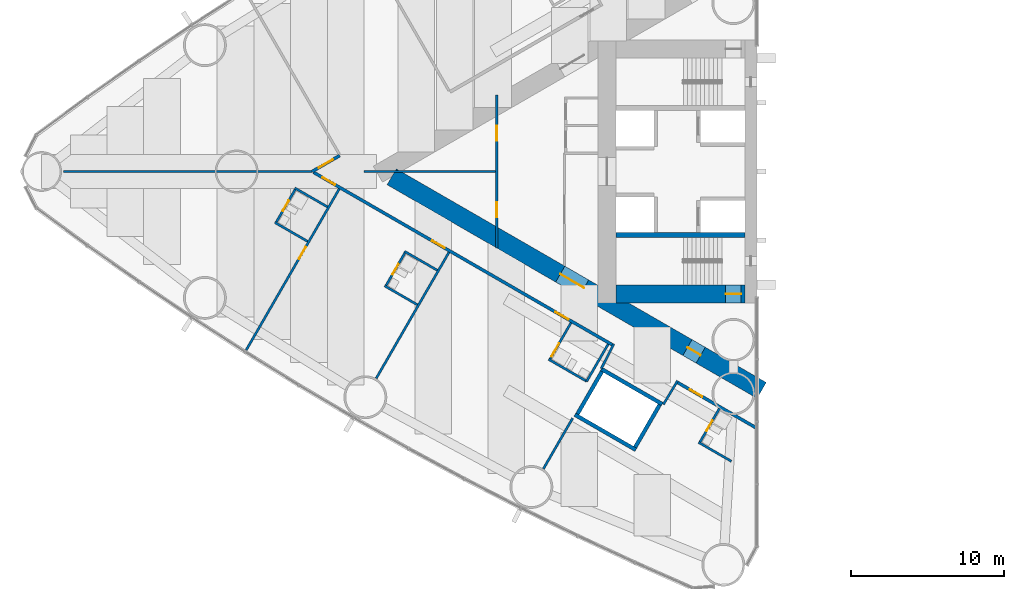
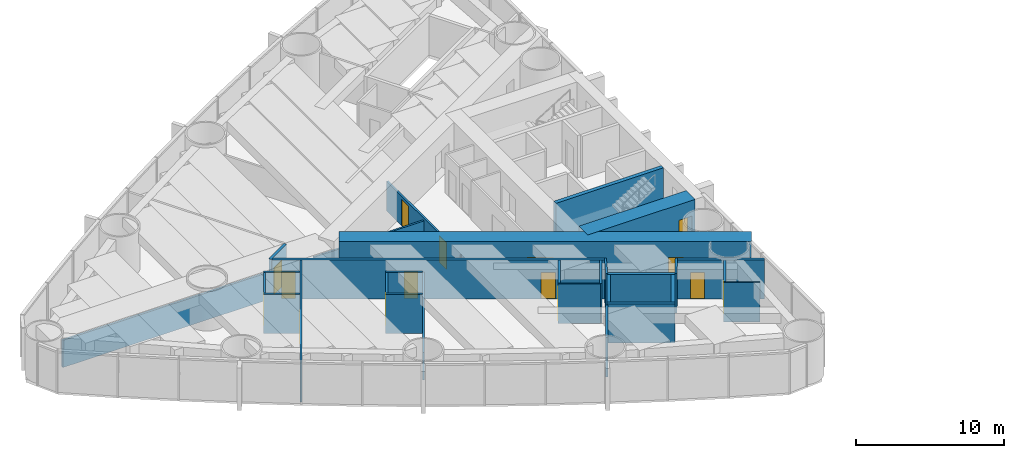
# One storey, part 11 of 19: 29 walls, 15 doors, 15 openings.
"""IFC4 building model written with IfcOpenShell, lengths in metres."""

from ifc_helpers import new_model, si_unit, direction, frame, frame_2d, origin, place, context, subcontext, project, spatial, rectangle, extrude, material, layer, layer_set, type_object, element, fill, save


model = new_model("IFC4")

# Units and contexts
model_context = context("Model", 3, precision=1e-05, world=origin(), true_north=direction((0.0, 1.0)))
body_context = subcontext(model_context, "Body", "Model", "MODEL_VIEW")
ifc_project = project(units=[si_unit("LENGTHUNIT", "METRE"), si_unit("AREAUNIT", "SQUARE_METRE"), si_unit("VOLUMEUNIT", "CUBIC_METRE"), si_unit("PLANEANGLEUNIT", "RADIAN"), si_unit("MASSUNIT", "GRAM", prefix="KILO")], contexts=[model_context])

# Site, building, storey
site_placement = place(None, origin())
site = spatial("IfcSite", under=ifc_project, at=site_placement, CompositionType="ELEMENT")
building_placement = place(site_placement, origin())
building = spatial("IfcBuilding", under=site, at=building_placement, Name="Lancet Gate Hotel", CompositionType="ELEMENT")
storey_placement = place(building_placement, frame((0.0, 0.0, 74.0)))
storey = spatial("IfcBuildingStorey", under=building, at=storey_placement, Name="L19", CompositionType="ELEMENT", Elevation=74.0)

# Wall
ifc_material_1 = material(Name="Moisture resistant board partition")
ifc_layer_1 = layer(ifc_material_1, 0.14990234375)
ifc_layer_set_1 = layer_set([ifc_layer_1], Name="Bathroom wall 150")
wall_type_1 = type_object("IfcWallType", Name="Bathroom wall 150", PredefinedType="PARTITIONING", material=ifc_layer_set_1)
wall_1_placement = place(storey_placement, frame((-56.861083984375, -4.565185546875, 0.0), z_axis=(0.0, 0.0, 1.0), x_axis=(-0.86604923931, 0.499958713387, 0.0)))
element("IfcWall", 1, at=wall_1_placement, inside=storey, type_object=wall_type_1, Name="T1 bathroom wall 150 L19", PredefinedType="PARTITIONING", context=body_context, shape_type="SweptSolid", body=[
    extrude(rectangle(XDim=2.474853515625, YDim=0.14990234375, at=frame_2d((1.2373046875, 0.0))), origin(), (0.0, 0.0, 1.0), 3.25),
])

# Wall, opening, door
wall_2_placement = place(storey_placement, frame((-57.639404296875, -1.113525390625, 0.0), z_axis=(0.0, 0.0, 1.0), x_axis=(-0.500006934395, -0.866021400173, 0.0)))
wall_2 = element("IfcWall", 2, at=wall_2_placement, inside=storey, type_object=wall_type_1, Name="T1 bathroom wall 150 L19", PredefinedType="PARTITIONING", context=body_context, shape_type="SweptSolid", body=[
    extrude(rectangle(XDim=2.60009765625, YDim=0.14990234375, at=frame_2d((1.300048828125, 0.0))), origin(), (0.0, 0.0, 1.0), 3.25),
])
opening_1_placement = place(wall_2_placement, frame((0.89990234375, 0.0, 0.0)))
opening_1 = element("IfcOpeningElement", 3, at=opening_1_placement, cuts=wall_2, Name="Opening 1905-B", PredefinedType="OPENING", context=body_context, shape_type="SweptSolid", body=[
    extrude(rectangle(XDim=0.800048828125, YDim=2.199951171875, at=frame_2d((0.39990234375, 1.10009765625))), frame((0.0, 0.0849609375, 0.0), z_axis=(0.0, -1.0, 0.0), x_axis=(1.0, 0.0, 0.0)), (0.0, 0.0, 1.0), 0.169921875),
])
ifc_material_2 = material(Name="Timber door set", Category="wood")
door_type_1 = type_object("IfcDoorType", Name="Bathroom door 800", OperationType="SINGLE_SWING_RIGHT", PredefinedType="DOOR", material=ifc_material_2)
door_1_placement = place(opening_1_placement, origin())
door_1 = element("IfcDoor", 4, at=door_1_placement, inside=storey, type_object=door_type_1, Name="1905-B", OperationType="SINGLE_SWING_RIGHT", OverallHeight=2.199951171875, OverallWidth=0.800048828125, PredefinedType="DOOR", context=body_context, shape_type="SweptSolid", body=[
    extrude(rectangle(XDim=0.800048828125, YDim=2.199951171875, at=frame_2d((0.39990234375, 1.10009765625))), frame((0.0, 0.02490234375, 0.0), z_axis=(0.0, -1.0, 0.0), x_axis=(1.0, 0.0, 0.0)), (0.0, 0.0, 1.0), 0.050048828125),
])
fill(opening_1, door_1)

# Walls
wall_3_placement = place(storey_placement, frame((-55.56103515625, -2.3134765625, 0.0), z_axis=(0.0, 0.0, 1.0), x_axis=(-0.86604923931, 0.499958713387, 0.0)))
element("IfcWall", 5, at=wall_3_placement, inside=storey, type_object=wall_type_1, Name="T1 bathroom wall 150 L19", PredefinedType="PARTITIONING", context=body_context, shape_type="SweptSolid", body=[
    extrude(rectangle(XDim=2.474853515625, YDim=0.14990234375, at=frame_2d((1.2373046875, 0.0))), origin(), (0.0, 0.0, 1.0), 3.25),
])
wall_4_placement = place(storey_placement, frame((-49.691650390625, -8.704345703125, 0.0), z_axis=(0.0, 0.0, 1.0), x_axis=(-0.866073894602, 0.499916002032, 0.0)))
element("IfcWall", 6, at=wall_4_placement, inside=storey, type_object=wall_type_1, Name="T1 bathroom wall 150 L19", PredefinedType="PARTITIONING", context=body_context, shape_type="SweptSolid", body=[
    extrude(rectangle(XDim=2.47509765625, YDim=0.14990234375, at=frame_2d((1.237548828125, 0.0))), origin(), (0.0, 0.0, 1.0), 3.25),
])

# Wall, opening, door
wall_5_placement = place(storey_placement, frame((-50.47021484375, -5.252685546875, 0.0), z_axis=(0.0, 0.0, 1.0), x_axis=(-0.500006934395, -0.866021400173, 0.0)))
wall_5 = element("IfcWall", 7, at=wall_5_placement, inside=storey, type_object=wall_type_1, Name="T1 bathroom wall 150 L19", PredefinedType="PARTITIONING", context=body_context, shape_type="SweptSolid", body=[
    extrude(rectangle(XDim=2.60009765625, YDim=0.14990234375, at=frame_2d((1.300048828125, 0.0))), origin(), (0.0, 0.0, 1.0), 3.25),
])
opening_2_placement = place(wall_5_placement, frame((0.89990234375, 0.0, 0.0)))
opening_2 = element("IfcOpeningElement", 8, at=opening_2_placement, cuts=wall_5, Name="Opening 1906-B", PredefinedType="OPENING", context=body_context, shape_type="SweptSolid", body=[
    extrude(rectangle(XDim=0.800048828125, YDim=2.199951171875, at=frame_2d((0.39990234375, 1.10009765625))), frame((0.0, 0.0849609375, 0.0), z_axis=(0.0, -1.0, 0.0), x_axis=(1.0, 0.0, 0.0)), (0.0, 0.0, 1.0), 0.169921875),
])
door_2_placement = place(opening_2_placement, origin())
door_2 = element("IfcDoor", 9, at=door_2_placement, inside=storey, type_object=door_type_1, Name="1906-B", OperationType="SINGLE_SWING_RIGHT", OverallHeight=2.199951171875, OverallWidth=0.800048828125, PredefinedType="DOOR", context=body_context, shape_type="SweptSolid", body=[
    extrude(rectangle(XDim=0.800048828125, YDim=2.199951171875, at=frame_2d((0.39990234375, 1.10009765625))), frame((0.0, 0.02490234375, 0.0), z_axis=(0.0, -1.0, 0.0), x_axis=(1.0, 0.0, 0.0)), (0.0, 0.0, 1.0), 0.050048828125),
])
fill(opening_2, door_2)

# Walls
wall_6_placement = place(storey_placement, frame((-48.391845703125, -6.45263671875, 0.0), z_axis=(0.0, 0.0, 1.0), x_axis=(-0.86604923931, 0.499958713387, 0.0)))
element("IfcWall", 10, at=wall_6_placement, inside=storey, type_object=wall_type_1, Name="T1 bathroom wall 150 L19", PredefinedType="PARTITIONING", context=body_context, shape_type="SweptSolid", body=[
    extrude(rectangle(XDim=2.474853515625, YDim=0.14990234375, at=frame_2d((1.2373046875, 0.0))), origin(), (0.0, 0.0, 1.0), 3.25),
])
wall_7_placement = place(storey_placement, frame((-38.630126953125, -13.705322265625, 0.0), z_axis=(0.0, 0.0, 1.0), x_axis=(-0.866018712932, 0.500011588718, 0.0)))
element("IfcWall", 11, at=wall_7_placement, inside=storey, type_object=wall_type_1, Name="T1 bathroom wall 150 L19", PredefinedType="PARTITIONING", context=body_context, shape_type="SweptSolid", body=[
    extrude(rectangle(XDim=2.875, YDim=0.14990234375, at=frame_2d((1.4375, 0.0))), origin(), (0.0, 0.0, 1.0), 3.25),
])

# Wall, opening, door
wall_8_placement = place(storey_placement, frame((-39.65478515625, -9.88037109375, 0.0), z_axis=(0.0, 0.0, 1.0), x_axis=(-0.500049511043, -0.865996816683, 0.0)))
wall_8 = element("IfcWall", 12, at=wall_8_placement, inside=storey, type_object=wall_type_1, Name="T1 bathroom wall 150 L19", PredefinedType="PARTITIONING", context=body_context, shape_type="SweptSolid", body=[
    extrude(rectangle(XDim=2.800048828125, YDim=0.14990234375, at=frame_2d((1.39990234375, 0.0))), origin(), (0.0, 0.0, 1.0), 3.25),
])
opening_3_placement = place(wall_8_placement, frame((1.550048828125, 0.0, 0.0)))
opening_3 = element("IfcOpeningElement", 13, at=opening_3_placement, cuts=wall_8, Name="Opening 1907-B", PredefinedType="OPENING", context=body_context, shape_type="SweptSolid", body=[
    extrude(rectangle(XDim=1.0, YDim=2.199951171875, at=frame_2d((0.5, 1.10009765625))), frame((0.0, 0.0849609375, 0.0), z_axis=(0.0, -1.0, 0.0), x_axis=(1.0, 0.0, 0.0)), (0.0, 0.0, 1.0), 0.169921875),
])
ifc_material_3 = material(Name="Timber door set", Category="wood")
door_type_2 = type_object("IfcDoorType", Name="Accessible en-suite door 1000", OperationType="SINGLE_SWING_RIGHT", PredefinedType="DOOR", material=ifc_material_3)
door_3_placement = place(opening_3_placement, origin())
door_3 = element("IfcDoor", 14, at=door_3_placement, inside=storey, type_object=door_type_2, Name="1907-B", OperationType="SINGLE_SWING_RIGHT", OverallHeight=2.199951171875, OverallWidth=1.0, PredefinedType="DOOR", context=body_context, shape_type="SweptSolid", body=[
    extrude(rectangle(XDim=1.0, YDim=2.199951171875, at=frame_2d((0.5, 1.10009765625))), frame((0.0, 0.02490234375, 0.0), z_axis=(0.0, -1.0, 0.0), x_axis=(1.0, 0.0, 0.0)), (0.0, 0.0, 1.0), 0.050048828125),
])
fill(opening_3, door_3)

# Walls
wall_9_placement = place(storey_placement, frame((-37.22998046875, -11.280517578125, 0.0), z_axis=(0.0, 0.0, 1.0), x_axis=(-0.500049511043, -0.865996816683, 0.0)))
element("IfcWall", 15, at=wall_9_placement, inside=storey, type_object=wall_type_1, Name="T1 bathroom wall 150 L19", PredefinedType="PARTITIONING", context=body_context, shape_type="SweptSolid", body=[
    extrude(rectangle(XDim=2.800048828125, YDim=0.14990234375, at=frame_2d((1.39990234375, 0.0))), origin(), (0.0, 0.0, 1.0), 3.25),
])
wall_10_placement = place(storey_placement, frame((-29.181884765625, -18.92919921875, 0.0), z_axis=(0.0, 0.0, 1.0), x_axis=(-0.866006523861, 0.500032699561, 0.0)))
element("IfcWall", 16, at=wall_10_placement, inside=storey, type_object=wall_type_1, Name="T1 bathroom wall 150 L19", PredefinedType="PARTITIONING", context=body_context, shape_type="SweptSolid", body=[
    extrude(rectangle(XDim=2.474853515625, YDim=0.14990234375, at=frame_2d((1.2373046875, 0.0))), origin(), (0.0, 0.0, 1.0), 3.25),
])

# Wall, opening, door
wall_11_placement = place(storey_placement, frame((-29.960205078125, -15.4775390625, 0.0), z_axis=(0.0, 0.0, 1.0), x_axis=(-0.500006934395, -0.866021400173, 0.0)))
wall_11 = element("IfcWall", 17, at=wall_11_placement, inside=storey, type_object=wall_type_1, Name="T1 bathroom wall 150 L19", PredefinedType="PARTITIONING", context=body_context, shape_type="SweptSolid", body=[
    extrude(rectangle(XDim=2.60009765625, YDim=0.14990234375, at=frame_2d((1.300048828125, 0.0))), origin(), (0.0, 0.0, 1.0), 3.25),
])
opening_4_placement = place(wall_11_placement, frame((0.89990234375, 0.0, 0.0)))
opening_4 = element("IfcOpeningElement", 18, at=opening_4_placement, cuts=wall_11, Name="Opening 1908-B", PredefinedType="OPENING", context=body_context, shape_type="SweptSolid", body=[
    extrude(rectangle(XDim=0.800048828125, YDim=2.199951171875, at=frame_2d((0.39990234375, 1.10009765625))), frame((0.0, 0.0849609375, 0.0), z_axis=(0.0, -1.0, 0.0), x_axis=(1.0, 0.0, 0.0)), (0.0, 0.0, 1.0), 0.169921875),
])
door_4_placement = place(opening_4_placement, origin())
door_4 = element("IfcDoor", 19, at=door_4_placement, inside=storey, type_object=door_type_1, Name="1908-B", OperationType="SINGLE_SWING_RIGHT", OverallHeight=2.199951171875, OverallWidth=0.800048828125, PredefinedType="DOOR", context=body_context, shape_type="SweptSolid", body=[
    extrude(rectangle(XDim=0.800048828125, YDim=2.199951171875, at=frame_2d((0.39990234375, 1.10009765625))), frame((0.0, 0.02490234375, 0.0), z_axis=(0.0, -1.0, 0.0), x_axis=(1.0, 0.0, 0.0)), (0.0, 0.0, 1.0), 0.050048828125),
])
fill(opening_4, door_4)

# Wall, openings, doors
ifc_material_4 = material(Name="Concrete C70/85", Category="concrete")
ifc_layer_2 = layer(ifc_material_4, 1.199951171875)
ifc_layer_set_2 = layer_set([ifc_layer_2], Name="Buttress wall 1200")
wall_type_2 = type_object("IfcWallType", Name="Buttress wall 1200", PredefinedType="SHEAR", material=ifc_layer_set_2)
wall_12_placement = place(storey_placement, frame((-27.199951171875, -14.300048828125, 0.0), z_axis=(0.0, 0.0, 1.0), x_axis=(-0.866024021859, 0.500002393557, 0.0)))
wall_12 = element("IfcWall", 20, at=wall_12_placement, inside=storey, type_object=wall_type_2, Name="T1 buttress wall N L19", PredefinedType="SHEAR", context=body_context, shape_type="SweptSolid", body=[
    extrude(rectangle(XDim=27.906982421875, YDim=1.199951171875, at=frame_2d((13.95361328125, 0.0))), origin(), (0.0, 0.0, 1.0), 3.5),
])
opening_5_placement = place(wall_12_placement, frame((4.60009765625, 0.0, 0.0)))
opening_5 = element("IfcOpeningElement", 21, at=opening_5_placement, cuts=wall_12, Name="Opening T1-L19-LN", PredefinedType="OPENING", context=body_context, shape_type="SweptSolid", body=[
    extrude(rectangle(XDim=1.0, YDim=2.199951171875, at=frame_2d((0.5, 1.10009765625))), frame((0.0, 0.60986328125, 0.0), z_axis=(0.0, -1.0, 0.0), x_axis=(1.0, 0.0, 0.0)), (0.0, 0.0, 1.0), 1.219970703125),
])
opening_6_placement = place(wall_12_placement, frame((13.39453125, 0.0, 0.0)))
opening_6 = element("IfcOpeningElement", 22, at=opening_6_placement, cuts=wall_12, Name="Opening T1-L19-LHN", PredefinedType="OPENING", context=body_context, shape_type="SweptSolid", body=[
    extrude(rectangle(XDim=1.800048828125, YDim=2.199951171875, at=frame_2d((0.89990234375, 1.10009765625))), frame((0.0, 0.60986328125, 0.0), z_axis=(0.0, -1.0, 0.0), x_axis=(1.0, 0.0, 0.0)), (0.0, 0.0, 1.0), 1.219970703125),
])
ifc_material_5 = material(Name="Timber door set", Category="wood")
door_type_3 = type_object("IfcDoorType", Name="Lobby double door 1800", OperationType="DOUBLE_DOOR_SINGLE_SWING", PredefinedType="DOOR", material=ifc_material_5)
door_5_placement = place(opening_6_placement, origin())
door_5 = element("IfcDoor", 23, at=door_5_placement, inside=storey, type_object=door_type_3, Name="T1-L19-LHN", OperationType="DOUBLE_DOOR_SINGLE_SWING", OverallHeight=2.199951171875, OverallWidth=1.800048828125, PredefinedType="DOOR", context=body_context, shape_type="SweptSolid", body=[
    extrude(rectangle(XDim=1.800048828125, YDim=2.199951171875, at=frame_2d((0.89990234375, 1.10009765625))), frame((0.0, 0.02490234375, 0.0), z_axis=(0.0, -1.0, 0.0), x_axis=(1.0, 0.0, 0.0)), (0.0, 0.0, 1.0), 0.050048828125),
])
fill(opening_6, door_5)
ifc_material_6 = material(Name="Timber door set", Category="wood")
door_type_4 = type_object("IfcDoorType", Name="Stair lobby door 1000", OperationType="SINGLE_SWING_LEFT", PredefinedType="DOOR", material=ifc_material_6)
door_6_placement = place(opening_5_placement, origin())
door_6 = element("IfcDoor", 24, at=door_6_placement, inside=storey, type_object=door_type_4, Name="T1-L19-LN", OperationType="SINGLE_SWING_LEFT", OverallHeight=2.199951171875, OverallWidth=1.0, PredefinedType="DOOR", context=body_context, shape_type="SweptSolid", body=[
    extrude(rectangle(XDim=1.0, YDim=2.199951171875, at=frame_2d((0.5, 1.10009765625))), frame((0.0, 0.02490234375, 0.0), z_axis=(0.0, -1.0, 0.0), x_axis=(1.0, 0.0, 0.0)), (0.0, 0.0, 1.0), 0.050048828125),
])
fill(opening_5, door_6)

# Wall, opening, door
ifc_material_7 = material(Name="Concrete C70/85", Category="concrete")
ifc_layer_3 = layer(ifc_material_7, 1.199951171875)
ifc_layer_set_3 = layer_set([ifc_layer_3], Name="Core wall 1200")
wall_type_3 = type_object("IfcWallType", Name="Core wall 1200", PredefinedType="SHEAR", material=ifc_layer_set_3)
wall_13_placement = place(storey_placement, frame((-28.300048828125, -8.0, 0.0), z_axis=(0.0, 0.0, 1.0), x_axis=(-1.0, 0.0, 0.0)))
wall_13 = element("IfcWall", 25, at=wall_13_placement, inside=storey, type_object=wall_type_3, Name="T1 core wall side-N L19", PredefinedType="SHEAR", context=body_context, shape_type="SweptSolid", body=[
    extrude(rectangle(XDim=8.39990234375, YDim=1.199951171875, at=frame_2d((4.199951171875, 0.0))), origin(), (0.0, 0.0, 1.0), 3.5),
])
opening_7_placement = place(wall_13_placement, frame((0.25, 0.0, 0.0)))
opening_7 = element("IfcOpeningElement", 26, at=opening_7_placement, cuts=wall_13, Name="Opening T1-L19-ST2", PredefinedType="OPENING", context=body_context, shape_type="SweptSolid", body=[
    extrude(rectangle(XDim=1.0, YDim=2.199951171875, at=frame_2d((0.5, 1.10009765625))), frame((0.0, 0.60986328125, 0.0), z_axis=(0.0, -1.0, 0.0), x_axis=(1.0, 0.0, 0.0)), (0.0, 0.0, 1.0), 1.219970703125),
])
ifc_material_8 = material(Name="Timber door set", Category="wood")
door_type_5 = type_object("IfcDoorType", Name="Stair door 1000", OperationType="SINGLE_SWING_RIGHT", PredefinedType="DOOR", material=ifc_material_8)
door_7_placement = place(opening_7_placement, origin())
door_7 = element("IfcDoor", 27, at=door_7_placement, inside=storey, type_object=door_type_5, Name="T1-L19-ST2", OperationType="SINGLE_SWING_RIGHT", OverallHeight=2.199951171875, OverallWidth=1.0, PredefinedType="DOOR", context=body_context, shape_type="SweptSolid", body=[
    extrude(rectangle(XDim=1.0, YDim=2.199951171875, at=frame_2d((0.5, 1.10009765625))), frame((0.0, 0.02490234375, 0.0), z_axis=(0.0, -1.0, 0.0), x_axis=(1.0, 0.0, 0.0)), (0.0, 0.0, 1.0), 0.050048828125),
])
fill(opening_7, door_7)

ifc_material_9 = material(Name="Gypsum board partition")
ifc_layer_4 = layer(ifc_material_9, 0.199951171875)
ifc_layer_set_4 = layer_set([ifc_layer_4], Name="Corridor wall 200")
wall_type_4 = type_object("IfcWallType", Name="Corridor wall 200", PredefinedType="PARTITIONING", material=ifc_layer_set_4)
wall_14_placement = place(storey_placement, frame((-27.572021484375, -16.740966796875, 0.0), z_axis=(0.0, 0.0, 1.0), x_axis=(-0.866024464444, 0.500001626982, 0.0)))
wall_14 = element("IfcWall", 28, at=wall_14_placement, inside=storey, type_object=wall_type_4, Name="T1 corridor wall 200 L19", PredefinedType="PARTITIONING", context=body_context, shape_type="SweptSolid", body=[
    extrude(rectangle(XDim=5.955078125, YDim=0.199951171875, at=frame_2d((2.9775390625, 0.0))), origin(), (0.0, 0.0, 1.0), 3.25),
])
opening_8_placement = place(wall_14_placement, frame((4.050048828125, 0.0, 0.0)))
opening_8 = element("IfcOpeningElement", 29, at=opening_8_placement, cuts=wall_14, Name="Opening 1908-E", PredefinedType="OPENING", context=body_context, shape_type="SweptSolid", body=[
    extrude(rectangle(XDim=0.949951171875, YDim=2.199951171875, at=frame_2d((0.47509765625, 1.10009765625))), frame((0.0, 0.10986328125, 0.0), z_axis=(0.0, -1.0, 0.0), x_axis=(1.0, 0.0, 0.0)), (0.0, 0.0, 1.0), 0.219970703125),
])
ifc_material_10 = material(Name="Timber door set", Category="wood")
door_type_6 = type_object("IfcDoorType", Name="Guest room entry door 950", OperationType="SINGLE_SWING_LEFT", PredefinedType="DOOR", material=ifc_material_10)
door_8_placement = place(opening_8_placement, origin())
door_8 = element("IfcDoor", 30, at=door_8_placement, inside=storey, type_object=door_type_6, Name="1908-E", OperationType="SINGLE_SWING_LEFT", OverallHeight=2.199951171875, OverallWidth=0.949951171875, PredefinedType="DOOR", context=body_context, shape_type="SweptSolid", body=[
    extrude(rectangle(XDim=0.949951171875, YDim=2.199951171875, at=frame_2d((0.47509765625, 1.10009765625))), frame((0.0, 0.02490234375, 0.0), z_axis=(0.0, -1.0, 0.0), x_axis=(1.0, 0.0, 0.0)), (0.0, 0.0, 1.0), 0.050048828125),
])
fill(opening_8, door_8)

# Wall, openings, doors
wall_15_placement = place(storey_placement, frame((-36.920166015625, -11.34375, 0.0), z_axis=(0.0, 0.0, 1.0), x_axis=(-0.866028313256, 0.499994960614, 0.0)))
wall_15 = element("IfcWall", 31, at=wall_15_placement, inside=storey, type_object=wall_type_4, Name="T1 corridor wall 200 L19", PredefinedType="PARTITIONING", context=body_context, shape_type="SweptSolid", body=[
    extrude(rectangle(XDim=22.567626953125, YDim=0.199951171875, at=frame_2d((11.28369140625, 0.0))), origin(), (0.0, 0.0, 1.0), 3.25),
])
opening_9_placement = place(wall_15_placement, frame((20.95849609375, 0.0, 0.0)))
opening_9 = element("IfcOpeningElement", 32, at=opening_9_placement, cuts=wall_15, Name="Opening 1905-E", PredefinedType="OPENING", context=body_context, shape_type="SweptSolid", body=[
    extrude(rectangle(XDim=0.949951171875, YDim=2.199951171875, at=frame_2d((0.47509765625, 1.10009765625))), frame((0.0, 0.10986328125, 0.0), z_axis=(0.0, -1.0, 0.0), x_axis=(1.0, 0.0, 0.0)), (0.0, 0.0, 1.0), 0.219970703125),
])
opening_10_placement = place(wall_15_placement, frame((12.68017578125, 0.0, 0.0)))
opening_10 = element("IfcOpeningElement", 33, at=opening_10_placement, cuts=wall_15, Name="Opening 1906-E", PredefinedType="OPENING", context=body_context, shape_type="SweptSolid", body=[
    extrude(rectangle(XDim=0.949951171875, YDim=2.199951171875, at=frame_2d((0.47509765625, 1.10009765625))), frame((0.0, 0.10986328125, 0.0), z_axis=(0.0, -1.0, 0.0), x_axis=(1.0, 0.0, 0.0)), (0.0, 0.0, 1.0), 0.219970703125),
])
opening_11_placement = place(wall_15_placement, frame((3.35009765625, 0.0, 0.0)))
opening_11 = element("IfcOpeningElement", 34, at=opening_11_placement, cuts=wall_15, Name="Opening 1907-E", PredefinedType="OPENING", context=body_context, shape_type="SweptSolid", body=[
    extrude(rectangle(XDim=1.0, YDim=2.199951171875, at=frame_2d((0.5, 1.10009765625))), frame((0.0, 0.10986328125, 0.0), z_axis=(0.0, -1.0, 0.0), x_axis=(1.0, 0.0, 0.0)), (0.0, 0.0, 1.0), 0.219970703125),
])
ifc_material_11 = material(Name="Timber door set", Category="wood")
door_type_7 = type_object("IfcDoorType", Name="Accessible guest room door 1000", OperationType="SINGLE_SWING_LEFT", PredefinedType="DOOR", material=ifc_material_11)
door_9_placement = place(opening_11_placement, origin())
door_9 = element("IfcDoor", 35, at=door_9_placement, inside=storey, type_object=door_type_7, Name="1907-E", OperationType="SINGLE_SWING_LEFT", OverallHeight=2.199951171875, OverallWidth=1.0, PredefinedType="DOOR", context=body_context, shape_type="SweptSolid", body=[
    extrude(rectangle(XDim=1.0, YDim=2.199951171875, at=frame_2d((0.5, 1.10009765625))), frame((0.0, 0.02490234375, 0.0), z_axis=(0.0, -1.0, 0.0), x_axis=(1.0, 0.0, 0.0)), (0.0, 0.0, 1.0), 0.050048828125),
])
fill(opening_11, door_9)
door_10_placement = place(opening_9_placement, origin())
door_10 = element("IfcDoor", 36, at=door_10_placement, inside=storey, type_object=door_type_6, Name="1905-E", OperationType="SINGLE_SWING_LEFT", OverallHeight=2.199951171875, OverallWidth=0.949951171875, PredefinedType="DOOR", context=body_context, shape_type="SweptSolid", body=[
    extrude(rectangle(XDim=0.949951171875, YDim=2.199951171875, at=frame_2d((0.47509765625, 1.10009765625))), frame((0.0, 0.02490234375, 0.0), z_axis=(0.0, -1.0, 0.0), x_axis=(1.0, 0.0, 0.0)), (0.0, 0.0, 1.0), 0.050048828125),
])
fill(opening_9, door_10)
door_11_placement = place(opening_10_placement, origin())
door_11 = element("IfcDoor", 37, at=door_11_placement, inside=storey, type_object=door_type_6, Name="1906-E", OperationType="SINGLE_SWING_LEFT", OverallHeight=2.199951171875, OverallWidth=0.949951171875, PredefinedType="DOOR", context=body_context, shape_type="SweptSolid", body=[
    extrude(rectangle(XDim=0.949951171875, YDim=2.199951171875, at=frame_2d((0.47509765625, 1.10009765625))), frame((0.0, 0.02490234375, 0.0), z_axis=(0.0, -1.0, 0.0), x_axis=(1.0, 0.0, 0.0)), (0.0, 0.0, 1.0), 0.050048828125),
])
fill(opening_10, door_11)

# Wall, opening, door
wall_16_placement = place(storey_placement, frame((-54.767578125, 1.03955078125, 0.0), z_axis=(0.0, 0.0, 1.0), x_axis=(-0.866052632827, -0.499952834948, 0.0)))
wall_16 = element("IfcWall", 38, at=wall_16_placement, inside=storey, type_object=wall_type_4, Name="T1 corridor wall 200 L19", PredefinedType="PARTITIONING", context=body_context, shape_type="SweptSolid", body=[
    extrude(rectangle(XDim=2.079345703125, YDim=0.199951171875, at=frame_2d((1.03955078125, 0.0))), origin(), (0.0, 0.0, 1.0), 3.25),
])
opening_12_placement = place(wall_16_placement, frame((0.5, 0.0, 0.0)))
opening_12 = element("IfcOpeningElement", 39, at=opening_12_placement, cuts=wall_16, Name="Opening 1904-E", PredefinedType="OPENING", context=body_context, shape_type="SweptSolid", body=[
    extrude(rectangle(XDim=1.0791015625, YDim=2.199951171875, at=frame_2d((0.53955078125, 1.10009765625))), frame((0.0, 0.10986328125, 0.0), z_axis=(0.0, -1.0, 0.0), x_axis=(1.0, 0.0, 0.0)), (0.0, 0.0, 1.0), 0.219970703125),
])
door_12_placement = place(opening_12_placement, origin())
door_12 = element("IfcDoor", 40, at=door_12_placement, inside=storey, type_object=door_type_6, Name="1904-E", OperationType="SINGLE_SWING_LEFT", OverallHeight=2.199951171875, OverallWidth=1.0791015625, PredefinedType="DOOR", context=body_context, shape_type="SweptSolid", body=[
    extrude(rectangle(XDim=1.0791015625, YDim=2.199951171875, at=frame_2d((0.53955078125, 1.10009765625))), frame((0.0, 0.02490234375, 0.0), z_axis=(0.0, -1.0, 0.0), x_axis=(1.0, 0.0, 0.0)), (0.0, 0.0, 1.0), 0.050048828125),
])
fill(opening_12, door_12)

# Walls
ifc_material_12 = material(Name="Gypsum board partition")
ifc_layer_5 = layer(ifc_material_12, 0.25)
ifc_layer_set_5 = layer_set([ifc_layer_5], Name="Lift shaft partition 250")
wall_type_5 = type_object("IfcWallType", Name="Lift shaft partition 250", PredefinedType="PARTITIONING", material=ifc_layer_set_5)
wall_17_placement = place(storey_placement, frame((-33.695556640625, -15.197265625, 0.0), z_axis=(0.0, 0.0, 1.0), x_axis=(-0.865976953817, 0.500083908417, 0.0)))
element("IfcWall", 41, at=wall_17_placement, inside=storey, type_object=wall_type_5, Name="T1 lift shaft wall EX L19", PredefinedType="PARTITIONING", context=body_context, shape_type="SweptSolid", body=[
    extrude(rectangle(XDim=4.599365234375, YDim=0.25, at=frame_2d((2.2998046875, 0.0))), origin(), (0.0, 0.0, 1.0), 3.25),
])
wall_18_placement = place(storey_placement, frame((-35.42041015625, -18.185791015625, 0.0), z_axis=(0.0, 0.0, 1.0), x_axis=(-0.865990227814, 0.50006092162, 0.0)))
element("IfcWall", 42, at=wall_18_placement, inside=storey, type_object=wall_type_5, Name="T1 lift shaft wall EX L19", PredefinedType="PARTITIONING", context=body_context, shape_type="SweptSolid", body=[
    extrude(rectangle(XDim=4.599609375, YDim=0.25, at=frame_2d((2.2998046875, 0.0))), origin(), (0.0, 0.0, 1.0), 3.25),
])
wall_19_placement = place(storey_placement, frame((-33.8662109375, -15.242919921875, 0.0), z_axis=(0.0, 0.0, 1.0), x_axis=(-0.499929347863, -0.866066190972, 0.0)))
element("IfcWall", 43, at=wall_19_placement, inside=storey, type_object=wall_type_5, Name="T1 lift shaft wall EX L19", PredefinedType="PARTITIONING", context=body_context, shape_type="SweptSolid", body=[
    extrude(rectangle(XDim=3.20068359375, YDim=0.25, at=frame_2d((1.600341796875, 0.0))), origin(), (0.0, 0.0, 1.0), 3.25),
])
wall_20_placement = place(storey_placement, frame((-37.6328125, -13.068115234375, 0.0), z_axis=(0.0, 0.0, 1.0), x_axis=(-0.499872130319, -0.866099216793, 0.0)))
element("IfcWall", 44, at=wall_20_placement, inside=storey, type_object=wall_type_5, Name="T1 lift shaft wall EX L19", PredefinedType="PARTITIONING", context=body_context, shape_type="SweptSolid", body=[
    extrude(rectangle(XDim=3.200439453125, YDim=0.25, at=frame_2d((1.60009765625, 0.0))), origin(), (0.0, 0.0, 1.0), 3.25),
])
ifc_material_13 = material(Name="Gypsum board partition")
ifc_layer_6 = layer(ifc_material_13, 0.14990234375)
ifc_layer_set_6 = layer_set([ifc_layer_6], Name="Party wall 150")
wall_type_6 = type_object("IfcWallType", Name="Party wall 150", PredefinedType="PARTITIONING", material=ifc_layer_set_6)
wall_21_placement = place(storey_placement, frame((-47.626708984375, -5.27783203125, 0.0), z_axis=(0.0, 0.0, 1.0), x_axis=(-0.500009844318, -0.86601972009, 0.0)))
element("IfcWall", 45, at=wall_21_placement, inside=storey, type_object=wall_type_6, Name="T1 party wall 150 L19", PredefinedType="PARTITIONING", context=body_context, shape_type="SweptSolid", body=[
    extrude(rectangle(XDim=9.510498046875, YDim=0.14990234375, at=frame_2d((4.75537109375, 0.0))), origin(), (0.0, 0.0, 1.0), 2.25),
])

# Wall, opening, door
wall_22_placement = place(storey_placement, frame((-54.796142578125, -1.138671875, 0.0), z_axis=(0.0, 0.0, 1.0), x_axis=(-0.499998860433, -0.866026061713, 0.0)))
wall_22 = element("IfcWall", 46, at=wall_22_placement, inside=storey, type_object=wall_type_6, Name="T1 party wall 150 L19", PredefinedType="PARTITIONING", context=body_context, shape_type="SweptSolid", body=[
    extrude(rectangle(XDim=12.15673828125, YDim=0.14990234375, at=frame_2d((6.078369140625, 0.0))), origin(), (0.0, 0.0, 1.0), 3.25),
])
opening_13_placement = place(wall_22_placement, frame((4.375, 0.0, 0.0)))
opening_13 = element("IfcOpeningElement", 47, at=opening_13_placement, cuts=wall_22, Name="Opening 1905C", PredefinedType="OPENING", context=body_context, shape_type="SweptSolid", body=[
    extrude(rectangle(XDim=0.89990234375, YDim=2.199951171875, at=frame_2d((0.449951171875, 1.10009765625))), frame((0.0, 0.0849609375, 0.0), z_axis=(0.0, -1.0, 0.0), x_axis=(1.0, 0.0, 0.0)), (0.0, 0.0, 1.0), 0.169921875),
])
ifc_material_14 = material(Name="Timber door set", Category="wood")
door_type_8 = type_object("IfcDoorType", Name="Connecting door 900", OperationType="SINGLE_SWING_LEFT", PredefinedType="DOOR", material=ifc_material_14)
door_13_placement = place(opening_13_placement, origin())
door_13 = element("IfcDoor", 48, at=door_13_placement, inside=storey, type_object=door_type_8, Name="1905C", OperationType="SINGLE_SWING_LEFT", OverallHeight=2.199951171875, OverallWidth=0.89990234375, PredefinedType="DOOR", context=body_context, shape_type="SweptSolid", body=[
    extrude(rectangle(XDim=0.89990234375, YDim=2.199951171875, at=frame_2d((0.449951171875, 1.10009765625))), frame((0.0, 0.02490234375, 0.0), z_axis=(0.0, -1.0, 0.0), x_axis=(1.0, 0.0, 0.0)), (0.0, 0.0, 1.0), 0.050048828125),
])
fill(opening_13, door_13)

# Walls
wall_23_placement = place(storey_placement, frame((-56.568359375, 0.0, 0.0), z_axis=(0.0, 0.0, 1.0), x_axis=(-1.0, 0.0, 0.0)))
element("IfcWall", 49, at=wall_23_placement, inside=storey, type_object=wall_type_6, Name="T1 party wall 150 L19", PredefinedType="PARTITIONING", context=body_context, shape_type="SweptSolid", body=[
    extrude(rectangle(XDim=16.246826171875, YDim=0.14990234375, at=frame_2d((8.12353515625, 0.0))), origin(), (0.0, 0.0, 1.0), 2.25),
])
wall_24_placement = place(storey_placement, frame((-39.55078125, -16.118408203125, 0.0), z_axis=(0.0, 0.0, 1.0), x_axis=(-0.499986503906, -0.866033195618, 0.0)))
element("IfcWall", 50, at=wall_24_placement, inside=storey, type_object=wall_type_6, Name="T1 party wall 150 L19", PredefinedType="PARTITIONING", context=body_context, shape_type="SweptSolid", body=[
    extrude(rectangle(XDim=3.81494140625, YDim=0.14990234375, at=frame_2d((1.907470703125, 0.0))), origin(), (0.0, 0.0, 1.0), 3.25),
])
ifc_material_15 = material(Name="Gypsum board partition")
ifc_layer_7 = layer(ifc_material_15, 0.14990234375)
ifc_layer_set_7 = layer_set([ifc_layer_7], Name="Service room wall 150")
wall_type_7 = type_object("IfcWallType", Name="Service room wall 150", PredefinedType="PARTITIONING", material=ifc_layer_set_7)
wall_25_placement = place(storey_placement, frame((-36.857177734375, -11.2646484375, 0.0), z_axis=(0.0, 0.0, 1.0), x_axis=(-0.454225294761, -0.890886851176, 0.0)))
element("IfcWall", 51, at=wall_25_placement, inside=storey, type_object=wall_type_7, Name="T1 service room wall 150 L19", PredefinedType="PARTITIONING", context=body_context, shape_type="SweptSolid", body=[
    extrude(rectangle(XDim=1.80712890625, YDim=0.14990234375, at=frame_2d((0.903564453125, 0.0))), origin(), (0.0, 0.0, 1.0), 3.25),
])
wall_26_placement = place(storey_placement, frame((-33.62060546875, -15.217529296875, 0.0), z_axis=(0.0, 0.0, 1.0), x_axis=(0.514336634837, 0.857588377991, 0.0)))
element("IfcWall", 52, at=wall_26_placement, inside=storey, type_object=wall_type_7, Name="T1 service room wall 150 L19", PredefinedType="PARTITIONING", context=body_context, shape_type="SweptSolid", body=[
    extrude(rectangle(XDim=1.80517578125, YDim=0.14990234375, at=frame_2d((0.902587890625, 0.0))), origin(), (0.0, 0.0, 1.0), 3.25),
])

# Wall, openings, doors
wall_27_placement = place(storey_placement, frame((-44.5, 5.004638671875, 0.0), z_axis=(0.0, 0.0, 1.0), x_axis=(0.0, -1.0, 0.0)))
wall_27 = element("IfcWall", 53, at=wall_27_placement, inside=storey, type_object=wall_type_7, Name="T1 service room wall 150 L19", PredefinedType="PARTITIONING", context=body_context, shape_type="SweptSolid", body=[
    extrude(rectangle(XDim=10.00927734375, YDim=0.14990234375, at=frame_2d((5.004638671875, 0.0))), origin(), (0.0, 0.0, 1.0), 2.449951171875),
])
opening_14_placement = place(wall_27_placement, frame((2.002197265625, 0.0, 0.0)))
opening_14 = element("IfcOpeningElement", 54, at=opening_14_placement, cuts=wall_27, Name="Opening T1-L19-SV", PredefinedType="OPENING", context=body_context, shape_type="SweptSolid", body=[
    extrude(rectangle(XDim=1.0, YDim=2.199951171875, at=frame_2d((0.5, 1.10009765625))), frame((0.0, 0.0849609375, 0.0), z_axis=(0.0, -1.0, 0.0), x_axis=(1.0, 0.0, 0.0)), (0.0, 0.0, 1.0), 0.169921875),
])
opening_15_placement = place(wall_27_placement, frame((7.0068359375, 0.0, 0.0)))
opening_15 = element("IfcOpeningElement", 55, at=opening_15_placement, cuts=wall_27, Name="Opening T1-L19-SV2", PredefinedType="OPENING", context=body_context, shape_type="SweptSolid", body=[
    extrude(rectangle(XDim=1.0, YDim=2.199951171875, at=frame_2d((0.5, 1.10009765625))), frame((0.0, 0.0849609375, 0.0), z_axis=(0.0, -1.0, 0.0), x_axis=(1.0, 0.0, 0.0)), (0.0, 0.0, 1.0), 0.169921875),
])
ifc_material_16 = material(Name="Timber door set", Category="wood")
door_type_9 = type_object("IfcDoorType", Name="Service door 1000", OperationType="SINGLE_SWING_LEFT", PredefinedType="DOOR", material=ifc_material_16)
door_14_placement = place(opening_14_placement, origin())
door_14 = element("IfcDoor", 56, at=door_14_placement, inside=storey, type_object=door_type_9, Name="T1-L19-SV", OperationType="SINGLE_SWING_LEFT", OverallHeight=2.199951171875, OverallWidth=1.0, PredefinedType="DOOR", context=body_context, shape_type="SweptSolid", body=[
    extrude(rectangle(XDim=1.0, YDim=2.199951171875, at=frame_2d((0.5, 1.10009765625))), frame((0.0, 0.02490234375, 0.0), z_axis=(0.0, -1.0, 0.0), x_axis=(1.0, 0.0, 0.0)), (0.0, 0.0, 1.0), 0.050048828125),
])
fill(opening_14, door_14)
door_15_placement = place(opening_15_placement, origin())
door_15 = element("IfcDoor", 57, at=door_15_placement, inside=storey, type_object=door_type_9, Name="T1-L19-SV2", OperationType="SINGLE_SWING_LEFT", OverallHeight=2.199951171875, OverallWidth=1.0, PredefinedType="DOOR", context=body_context, shape_type="SweptSolid", body=[
    extrude(rectangle(XDim=1.0, YDim=2.199951171875, at=frame_2d((0.5, 1.10009765625))), frame((0.0, 0.02490234375, 0.0), z_axis=(0.0, -1.0, 0.0), x_axis=(1.0, 0.0, 0.0)), (0.0, 0.0, 1.0), 0.050048828125),
])
fill(opening_15, door_15)

# Walls
wall_28_placement = place(storey_placement, frame((-44.574951171875, 0.0, 0.0), z_axis=(0.0, 0.0, 1.0), x_axis=(-1.0, 0.0, 0.0)))
element("IfcWall", 58, at=wall_28_placement, inside=storey, type_object=wall_type_7, Name="T1 service room wall 150 L19", PredefinedType="PARTITIONING", context=body_context, shape_type="SweptSolid", body=[
    extrude(rectangle(XDim=8.59326171875, YDim=0.14990234375, at=frame_2d((4.296630859375, 0.0))), origin(), (0.0, 0.0, 1.0), 2.25),
])
ifc_material_17 = material(Name="Concrete C50/60", Category="concrete")
ifc_layer_8 = layer(ifc_material_17, 0.300048828125)
ifc_layer_set_8 = layer_set([ifc_layer_8], Name="Stair enclosure wall 300")
wall_type_8 = type_object("IfcWallType", Name="Stair enclosure wall 300", PredefinedType="SHEAR", material=ifc_layer_set_8)
wall_29_placement = place(storey_placement, frame((-28.300048828125, -4.14990234375, 0.0), z_axis=(0.0, 0.0, 1.0), x_axis=(-1.0, 0.0, 0.0)))
element("IfcWall", 59, at=wall_29_placement, inside=storey, type_object=wall_type_8, Name="T1 core wall stair-N L19", PredefinedType="SHEAR", context=body_context, shape_type="SweptSolid", body=[
    extrude(rectangle(XDim=8.39990234375, YDim=0.300048828125, at=frame_2d((4.199951171875, 0.0))), origin(), (0.0, 0.0, 1.0), 3.5),
])

save(model, "model.ifc")
